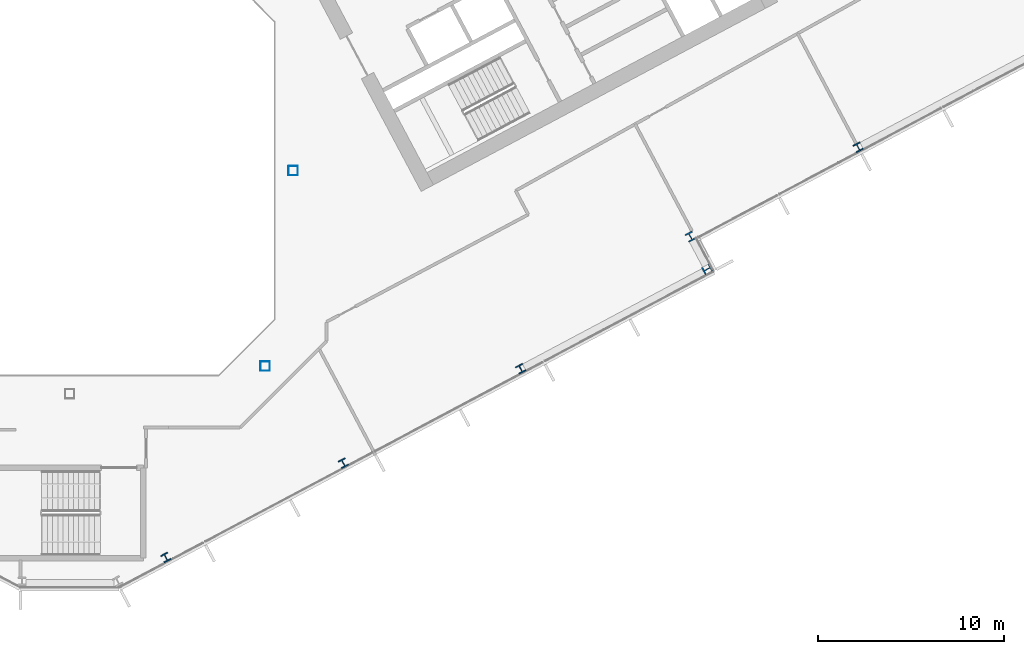
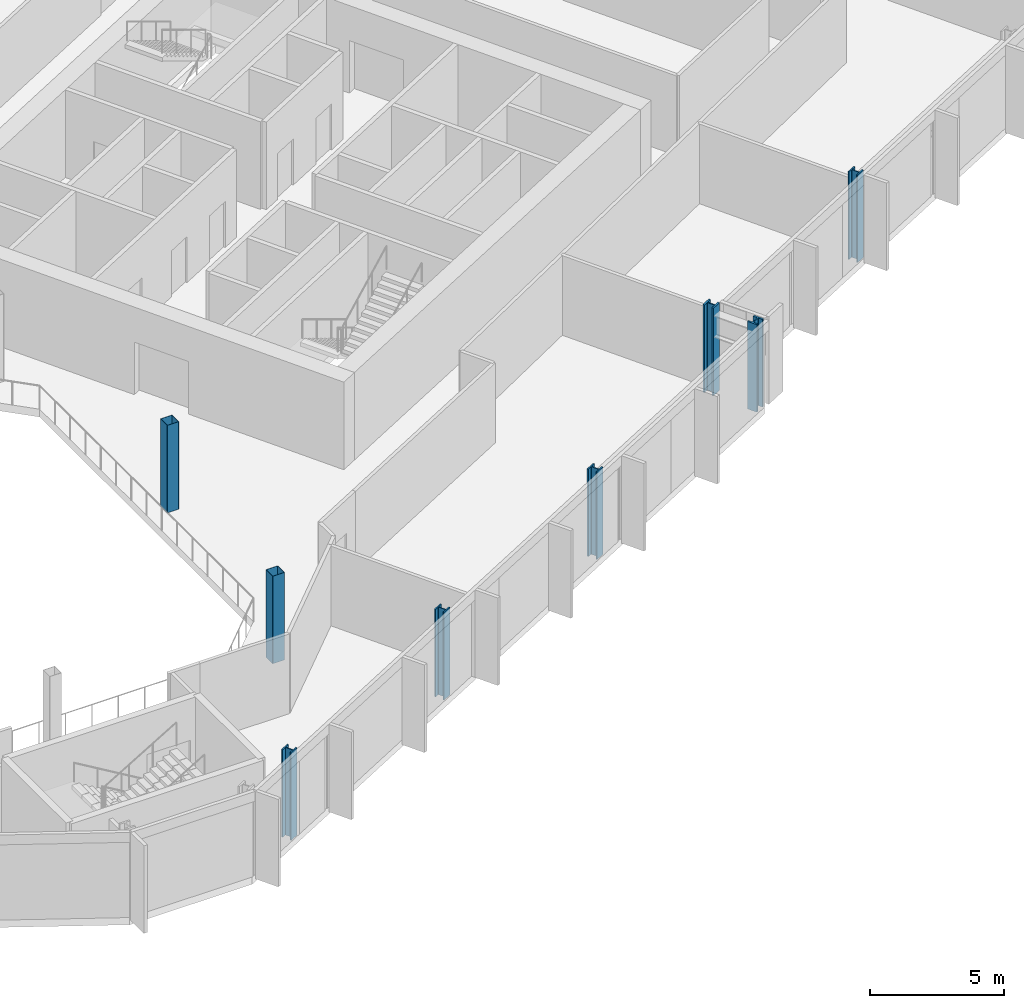
# One storey, part 5 of 28: 8 columns.
"""IFC4 building model written with IfcOpenShell, lengths in metres."""

from ifc_helpers import new_model, si_unit, direction, frame, origin, origin_2d, place, context, subcontext, project, spatial, hollow_rectangle, i_section, extrude, material, material_profile, profile_set, type_object, element, save


model = new_model("IFC4")

# Units and contexts
model_context = context("Model", 3, precision=1e-05, world=origin(), true_north=direction((0.0, 1.0)))
body_context = subcontext(model_context, "Body", "Model", "MODEL_VIEW")
ifc_project = project(units=[si_unit("LENGTHUNIT", "METRE"), si_unit("AREAUNIT", "SQUARE_METRE"), si_unit("VOLUMEUNIT", "CUBIC_METRE"), si_unit("PLANEANGLEUNIT", "RADIAN"), si_unit("MASSUNIT", "GRAM", prefix="KILO")], contexts=[model_context])

# Site, building, storey
site_placement = place(None, origin())
site = spatial("IfcSite", under=ifc_project, at=site_placement, CompositionType="ELEMENT")
building_placement = place(site_placement, origin())
building = spatial("IfcBuilding", under=site, at=building_placement, Name="Cormorant Relay Tower", CompositionType="ELEMENT")
storey_placement = place(building_placement, frame((0.0, 0.0, 126.199951171875)))
storey = spatial("IfcBuildingStorey", under=building, at=storey_placement, Name="L25", CompositionType="ELEMENT", Elevation=126.199951171875)

# Columns
ifc_material_1 = material(Name="Steel ASTM A500 Grade C (Fy 345 MPa)", Category="steel")
ifc_material_profile_1 = material_profile(ifc_material_1, hollow_rectangle(XDim=0.508056640625, YDim=0.508056640625, WallThickness=0.01171875, InnerFilletRadius=0.005859375, OuterFilletRadius=0.017822265625, at=origin_2d()), Name="HSS508x508x12")
ifc_profile_set_1 = profile_set([ifc_material_profile_1], Name="Steel ASTM A500 Grade C (Fy 345 MPa)")
column_type_1 = type_object("IfcColumnType", Name="Column HSS508x508x12", PredefinedType="COLUMN", material=ifc_profile_set_1)
for number, where, z_axis, x_axis, name in (
    (1, (10.5, -10.5, 0.0), (0.0, 0.0, 1.0), (1.0, 0.0, 0.0), "Column L25-010"),
    (2, (12.0, 0.0, 0.0), (0.0, 0.0, 1.0), (1.0, 0.0, 0.0), "Column L25-016"),
):
    element("IfcColumn", number, at=place(storey_placement, frame(where, z_axis=z_axis, x_axis=x_axis)), inside=storey, type_object=column_type_1, Name=name, PredefinedType="COLUMN", context=body_context, shape_type="SweptSolid", body=[
        extrude(hollow_rectangle(XDim=0.508056640625, YDim=0.508056640625, WallThickness=0.01171875, InnerFilletRadius=0.005859375, OuterFilletRadius=0.017822265625, at=origin_2d()), origin(), (0.0, 0.0, 1.0), 4.0),
    ])
ifc_material_2 = material(Name="Steel ASTM A992 (Fy 345 MPa)", Category="steel")
ifc_material_profile_2 = material_profile(ifc_material_2, i_section(OverallWidth=0.41162109375, OverallDepth=0.434326171875, WebThickness=0.035888671875, FlangeThickness=0.057373046875, FilletRadius=0.01513671875, at=origin_2d()), Name="W360x463")
ifc_profile_set_2 = profile_set([ifc_material_profile_2], Name="Steel ASTM A992 (Fy 345 MPa)")
column_type_2 = type_object("IfcColumnType", Name="Column W360x463", PredefinedType="COLUMN", material=ifc_profile_set_2)
for number, where, z_axis, x_axis, name in (
    (3, (5.1640625, -20.7890625, 0.0), (0.0, 0.0, 1.0), (0.882947592859, 0.469471562786, 0.0), "Column L25-003"),
    (4, (14.699951171875, -15.718994140625, 0.0), (0.0, 0.0, 1.0), (0.882947592859, 0.469471562786, 0.0), "Column L25-005"),
    (5, (24.236083984375, -10.64794921875, 0.0), (0.0, 0.0, 1.0), (0.882947592859, 0.469471562786, 0.0), "Column L25-008"),
    (6, (42.368896484375, 1.258056640625, 0.0), (0.0, 0.0, 1.0), (0.882947592859, 0.469471562786, 0.0), "Column L25-017"),
):
    element("IfcColumn", number, at=place(storey_placement, frame(where, z_axis=z_axis, x_axis=x_axis)), inside=storey, type_object=column_type_2, Name=name, PredefinedType="COLUMN", context=body_context, shape_type="SweptSolid", body=[
        extrude(i_section(OverallWidth=0.41162109375, OverallDepth=0.434326171875, WebThickness=0.035888671875, FlangeThickness=0.057373046875, FilletRadius=0.01513671875, at=origin_2d()), origin(), (0.0, 0.0, 1.0), 4.0),
    ])
ifc_material_3 = material(Name="Steel ASTM A992 (Fy 345 MPa)", Category="steel")
ifc_material_profile_3 = material_profile(ifc_material_3, i_section(OverallWidth=0.42431640625, OverallDepth=0.47509765625, WebThickness=0.0478515625, FlangeThickness=0.0771484375, FilletRadius=0.014892578125, at=origin_2d()), Name="W360x634")
ifc_profile_set_3 = profile_set([ifc_material_profile_3], Name="Steel ASTM A992 (Fy 345 MPa)")
column_type_3 = type_object("IfcColumnType", Name="Column W360x634", PredefinedType="COLUMN", material=ifc_profile_set_3)
for number, where, z_axis, x_axis, name in (
    (7, (34.256103515625, -5.297119140625, 0.0), (0.0, 0.0, 1.0), (-0.469471562786, 0.882947592859, 0.0), "Column L25-012"),
    (8, (33.35595703125, -3.54296875, 0.0), (0.0, 0.0, 1.0), (0.882947592859, 0.469471562786, 0.0), "Column L25-014"),
):
    element("IfcColumn", number, at=place(storey_placement, frame(where, z_axis=z_axis, x_axis=x_axis)), inside=storey, type_object=column_type_3, Name=name, PredefinedType="COLUMN", context=body_context, shape_type="SweptSolid", body=[
        extrude(i_section(OverallWidth=0.42431640625, OverallDepth=0.47509765625, WebThickness=0.0478515625, FlangeThickness=0.0771484375, FilletRadius=0.014892578125, at=origin_2d()), origin(), (0.0, 0.0, 1.0), 4.0),
    ])

save(model, "model.ifc")
